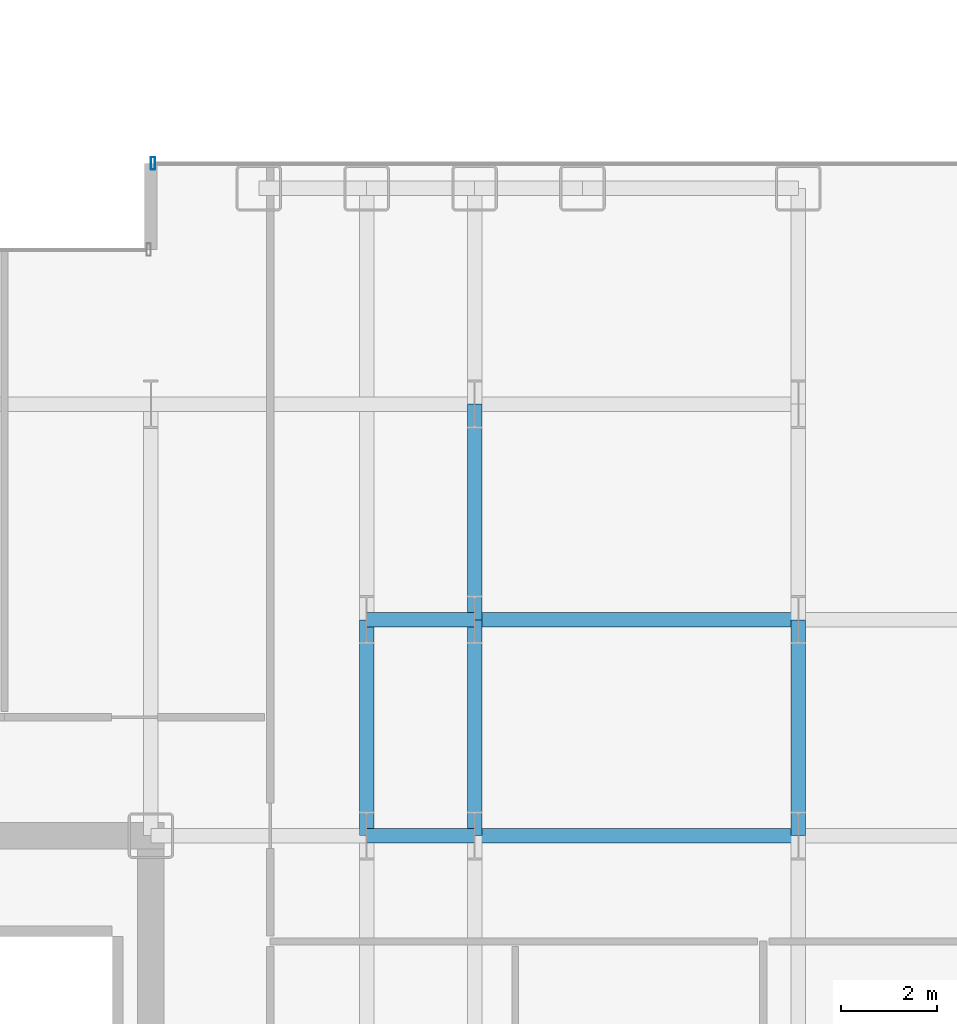
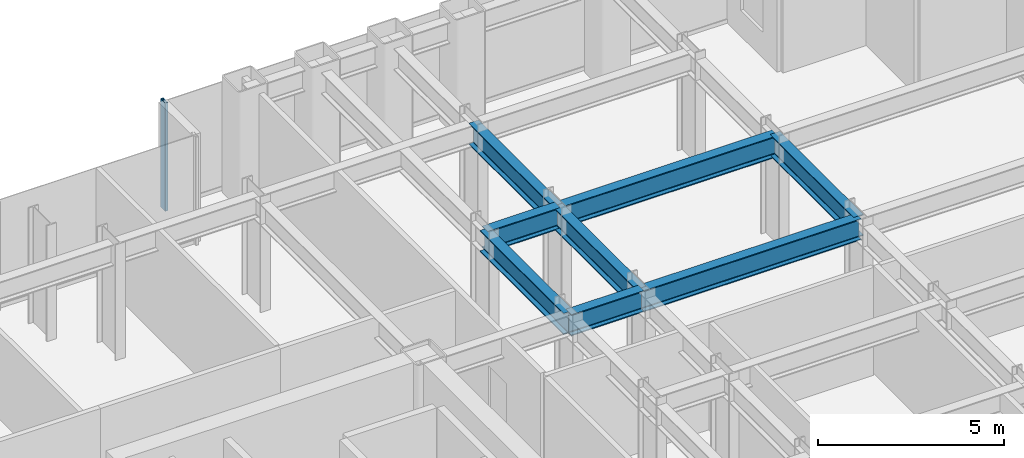
# One storey, part 15 of 29: 8 beams, 1 member, 1 element without a shape of its own.
"""IFC4 building model written with IfcOpenShell, lengths in metres."""

from ifc_helpers import new_model, si_unit, direction, frame, origin, origin_2d, place, context, subcontext, project, spatial, hollow_rectangle, i_section, extrude, source, transform, mapped, material, layer, layer_set, material_profile, profile_set, type_object, element, aggregate, save


model = new_model("IFC4")

# Units and contexts
model_context = context("Model", 3, precision=1e-05, world=origin(), true_north=direction((0.0, 1.0)))
body_context = subcontext(model_context, "Body", "Model", "MODEL_VIEW")
ifc_project = project(units=[si_unit("LENGTHUNIT", "METRE"), si_unit("AREAUNIT", "SQUARE_METRE"), si_unit("VOLUMEUNIT", "CUBIC_METRE"), si_unit("PLANEANGLEUNIT", "RADIAN"), si_unit("MASSUNIT", "GRAM", prefix="KILO")], contexts=[model_context])

# Site, building, storey
site_placement = place(None, origin())
site = spatial("IfcSite", under=ifc_project, at=site_placement, CompositionType="ELEMENT")
building_placement = place(site_placement, origin())
building = spatial("IfcBuilding", under=site, at=building_placement, Name="Nefas-Gora Pilgrimage Tower", CompositionType="ELEMENT")
storey_placement = place(building_placement, frame((0.0, 0.0, 90.800048828125)))
storey = spatial("IfcBuildingStorey", under=building, at=storey_placement, Name="L21", CompositionType="ELEMENT", Elevation=90.800048828125)

# Beams
ifc_material_1 = material(Name="Steel S355", Category="steel")
ifc_material_profile_1 = material_profile(ifc_material_1, i_section(OverallWidth=0.300048828125, OverallDepth=0.699951171875, WebThickness=0.01708984375, FlangeThickness=0.031982421875, FilletRadius=0.027099609375, at=origin_2d()), Name="HEB 700")
ifc_profile_set_1 = profile_set([ifc_material_profile_1], Name="Steel S355")
beam_type = type_object("IfcBeamType", Name="BM-GIR-HEB700", PredefinedType="BEAM", material=ifc_profile_set_1)
shared_shape_1 = source(origin(), body_context, "Body", "SweptSolid", [
    extrude(i_section(OverallWidth=0.300048828125, OverallDepth=0.699951171875, WebThickness=0.01708984375, FlangeThickness=0.031982421875, FilletRadius=0.027099609375, at=origin_2d()), origin(), (0.0, 0.0, 1.0), 4.5),
])
for number, where, z_axis, x_axis, name in (
    (1, (15.75, 9.0, 3.199951171875), (0.0, 1.0, 0.0), (-1.0, 0.0, 0.0), "L21 G-02 beam"),
    (2, (18.0, 9.0, 3.199951171875), (0.0, 1.0, 0.0), (-1.0, 0.0, 0.0), "L21 G-02 beam"),
    (3, (18.0, 13.5, 3.199951171875), (0.0, 1.0, 0.0), (-1.0, 0.0, 0.0), "L21 G-02 beam"),
    (4, (24.75, 9.0, 3.199951171875), (0.0, 1.0, 0.0), (-1.0, 0.0, 0.0), "L21 G-02 beam"),
):
    element("IfcBeam", number, at=place(storey_placement, frame(where, z_axis=z_axis, x_axis=x_axis)), inside=storey, type_object=beam_type, Name=name, PredefinedType="BEAM", context=body_context, shape_type="MappedRepresentation", body=[
        mapped(shared_shape_1, transform((0.0, 0.0, 0.0), x_axis=(1.0, 0.0, 0.0), y_axis=(0.0, 1.0, 0.0), z_axis=(0.0, 0.0, 1.0), scale=1.0)),
    ])
shared_shape_2 = source(origin(), body_context, "Body", "SweptSolid", [
    extrude(i_section(OverallWidth=0.300048828125, OverallDepth=0.699951171875, WebThickness=0.01708984375, FlangeThickness=0.031982421875, FilletRadius=0.027099609375, at=origin_2d()), origin(), (0.0, 0.0, 1.0), 6.75),
])
for number, where, z_axis, x_axis, name in (
    (5, (18.0, 9.0, 3.199951171875), (1.0, 0.0, 0.0), (0.0, 1.0, 0.0), "L21 G-02 beam"),
    (6, (18.0, 13.5, 3.199951171875), (1.0, 0.0, 0.0), (0.0, 1.0, 0.0), "L21 G-02 beam"),
):
    element("IfcBeam", number, at=place(storey_placement, frame(where, z_axis=z_axis, x_axis=x_axis)), inside=storey, type_object=beam_type, Name=name, PredefinedType="BEAM", context=body_context, shape_type="MappedRepresentation", body=[
        mapped(shared_shape_2, transform((0.0, 0.0, 0.0), x_axis=(1.0, 0.0, 0.0), y_axis=(0.0, 1.0, 0.0), z_axis=(0.0, 0.0, 1.0), scale=1.0)),
    ])
shared_shape_3 = source(origin(), body_context, "Body", "SweptSolid", [
    extrude(i_section(OverallWidth=0.300048828125, OverallDepth=0.699951171875, WebThickness=0.01708984375, FlangeThickness=0.031982421875, FilletRadius=0.027099609375, at=origin_2d()), origin(), (0.0, 0.0, 1.0), 2.25),
])
for number, where, z_axis, x_axis, name in (
    (7, (15.75, 9.0, 3.199951171875), (1.0, 0.0, 0.0), (0.0, 1.0, 0.0), "L21 G-02 beam"),
    (8, (15.75, 13.5, 3.199951171875), (1.0, 0.0, 0.0), (0.0, 1.0, 0.0), "L21 G-02 beam"),
):
    element("IfcBeam", number, at=place(storey_placement, frame(where, z_axis=z_axis, x_axis=x_axis)), inside=storey, type_object=beam_type, Name=name, PredefinedType="BEAM", context=body_context, shape_type="MappedRepresentation", body=[
        mapped(shared_shape_3, transform((0.0, 0.0, 0.0), x_axis=(1.0, 0.0, 0.0), y_axis=(0.0, 1.0, 0.0), z_axis=(0.0, 0.0, 1.0), scale=1.0)),
    ])

# Curtain wall, member
ifc_material_2 = material(Name="Dark ceramic-fritted solar-control aluminium-glass curtain wall", Category="aluminium")
ifc_layer = layer(ifc_material_2, 0.219970703125)
ifc_layer_set = layer_set([ifc_layer], Name="Dark ceramic-fritted solar-control aluminium-glass curtain wall")
curtain_wall_type = type_object("IfcCurtainWallType", Name="CW-SYS-2", PredefinedType="NOTDEFINED", material=ifc_layer_set)
curtain_wall_placement = place(storey_placement, origin())
curtain_wall = element("IfcCurtainWall", 9, at=curtain_wall_placement, inside=storey, type_object=curtain_wall_type, Name="L21 Unitised Curtain Wall CW2", PredefinedType="NOTDEFINED")
ifc_material_3 = material(Name="Anodised architectural aluminium", Category="aluminium")
ifc_material_profile_2 = material_profile(ifc_material_3, hollow_rectangle(XDim=0.090087890625, YDim=0.260009765625, WallThickness=0.006103515625, InnerFilletRadius=0.006103515625, OuterFilletRadius=0.011962890625, at=origin_2d()), Name="ALU MULLION 90x260")
ifc_profile_set_2 = profile_set([ifc_material_profile_2], Name="Anodised architectural aluminium")
member_type = type_object("IfcMemberType", Name="CWM-MUL-2", PredefinedType="MULLION", material=ifc_profile_set_2)
shared_shape_4 = source(origin(), body_context, "Body", "SweptSolid", [
    extrude(hollow_rectangle(XDim=0.090087890625, YDim=0.260009765625, WallThickness=0.006103515625, InnerFilletRadius=0.006103515625, OuterFilletRadius=0.011962890625, at=origin_2d()), origin(), (0.0, 0.0, 1.0), 3.550048828125),
])
member_placement = place(storey_placement, frame((11.294921875, 23.02001953125, 0.0), z_axis=(0.0, 0.0, 1.0), x_axis=(-1.0, 0.0, 0.0)))
member = element("IfcMember", 10, at=member_placement, type_object=member_type, Name="CW2 Mullion 2", PredefinedType="MULLION", context=body_context, shape_type="MappedRepresentation", body=[
    mapped(shared_shape_4, transform((0.0, 0.0, 0.0), x_axis=(1.0, 0.0, 0.0), y_axis=(0.0, 1.0, 0.0), z_axis=(0.0, 0.0, 1.0), scale=1.0)),
])
aggregate(curtain_wall, [member])

save(model, "model.ifc")
